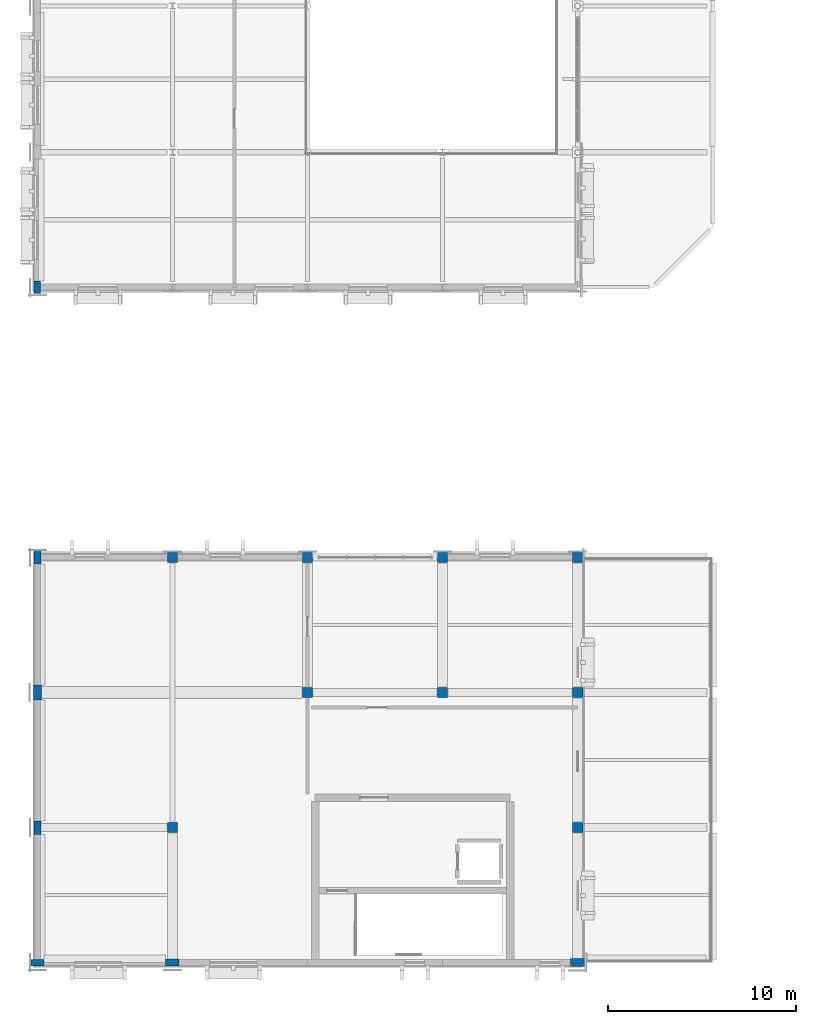
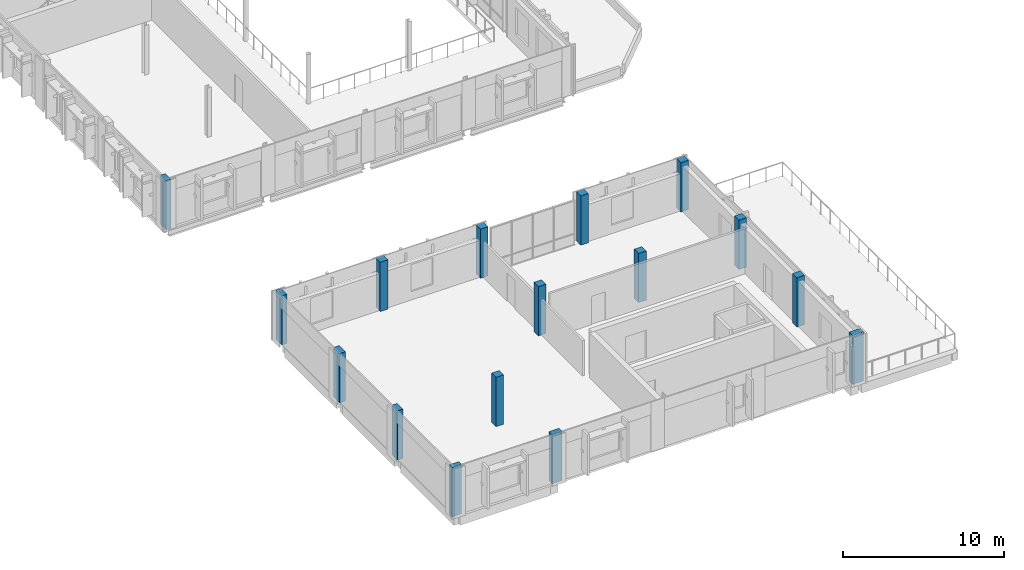
# One storey, part 1 of 73: 16 columns.
"""IFC4 building model written with IfcOpenShell, lengths in metres."""

from ifc_helpers import new_model, si_unit, direction, frame, origin, origin_2d, place, context, subcontext, project, spatial, rectangle, extrude, material, material_profile, profile_set, type_object, element, save


model = new_model("IFC4")

# Units and contexts
model_context = context("Model", 3, precision=1e-05, world=origin(), true_north=direction((0.0, 1.0)))
body_context = subcontext(model_context, "Body", "Model", "MODEL_VIEW")
ifc_project = project(units=[si_unit("LENGTHUNIT", "METRE"), si_unit("AREAUNIT", "SQUARE_METRE"), si_unit("VOLUMEUNIT", "CUBIC_METRE"), si_unit("PLANEANGLEUNIT", "RADIAN"), si_unit("MASSUNIT", "GRAM", prefix="KILO")], contexts=[model_context])

# Site, building, storey
site_placement = place(None, origin())
site = spatial("IfcSite", under=ifc_project, at=site_placement, CompositionType="ELEMENT")
building_placement = place(site_placement, origin())
building = spatial("IfcBuilding", under=site, at=building_placement, Name="Vervanel Yard Central Library", CompositionType="ELEMENT")
storey_placement = place(building_placement, frame((0.0, 0.0, 12.780029296875)))
storey = spatial("IfcBuildingStorey", under=building, at=storey_placement, Name="L03", CompositionType="ELEMENT", Elevation=12.780029296875)

# Columns
ifc_material = material(Name="Concrete C40/50", Category="concrete")
ifc_material_profile_1 = material_profile(ifc_material, rectangle(XDim=0.550048828125, YDim=0.550048828125, at=origin_2d()), Name="RC 550x550", Category="concrete")
ifc_profile_set_1 = profile_set([ifc_material_profile_1], Name="Concrete C40/50")
column_type_1 = type_object("IfcColumnType", Name="Concrete Column 550x550", PredefinedType="COLUMN", material=ifc_profile_set_1)
for number, where, z_axis, x_axis, name in (
    (1, (7.199951171875, 7.199951171875, 0.0), (0.0, 0.0, 1.0), (1.0, 0.0, 0.0), "L03 Concrete Column 550x550 (7.2, 7.2)"),
    (2, (7.199951171875, 21.60009765625, 0.0), (0.0, 0.0, 1.0), (1.0, 0.0, 0.0), "L03 Concrete Column 550x550 (7.2, 21.6)"),
    (3, (14.39990234375, 14.39990234375, 0.0), (0.0, 0.0, 1.0), (1.0, 0.0, 0.0), "L03 Concrete Column 550x550 (14.4, 14.4)"),
    (4, (14.39990234375, 21.60009765625, 0.0), (0.0, 0.0, 1.0), (1.0, 0.0, 0.0), "L03 Concrete Column 550x550 (14.4, 21.6)"),
    (5, (21.60009765625, 14.39990234375, 0.0), (0.0, 0.0, 1.0), (1.0, 0.0, 0.0), "L03 Concrete Column 550x550 (21.6, 14.4)"),
    (6, (21.60009765625, 21.60009765625, 0.0), (0.0, 0.0, 1.0), (1.0, 0.0, 0.0), "L03 Concrete Column 550x550 (21.6, 21.6)"),
    (7, (28.800048828125, 7.199951171875, 0.0), (0.0, 0.0, 1.0), (1.0, 0.0, 0.0), "L03 Concrete Column 550x550 (28.8, 7.2)"),
    (8, (28.800048828125, 14.39990234375, 0.0), (0.0, 0.0, 1.0), (1.0, 0.0, 0.0), "L03 Concrete Column 550x550 (28.8, 14.4)"),
    (9, (28.800048828125, 21.60009765625, 0.0), (0.0, 0.0, 1.0), (1.0, 0.0, 0.0), "L03 Concrete Column 550x550 (28.8, 21.6)"),
):
    element("IfcColumn", number, at=place(storey_placement, frame(where, z_axis=z_axis, x_axis=x_axis)), inside=storey, type_object=column_type_1, Name=name, PredefinedType="COLUMN", context=body_context, shape_type="SweptSolid", body=[
        extrude(rectangle(XDim=0.550048828125, YDim=0.550048828125, at=origin_2d()), origin(), (0.0, 0.0, 1.0), 3.739990234375),
    ])
ifc_material_profile_2 = material_profile(ifc_material, rectangle(XDim=0.35009765625, YDim=0.699951171875, at=origin_2d()), Name="RC 350x700", Category="concrete")
ifc_profile_set_2 = profile_set([ifc_material_profile_2], Name="Concrete C40/50")
column_type_2 = type_object("IfcColumnType", Name="Perimeter Pilaster 350x700", PredefinedType="PILASTER", material=ifc_profile_set_2)
for number, where, z_axis, x_axis, name in (
    (10, (0.0, 0.0, 0.0), (0.0, 0.0, 1.0), (0.0, 1.0, 0.0), "L03 Perimeter Pilaster 350x700 (0.0, 0.0)"),
    (11, (0.0, 36.0, 0.0), (0.0, 0.0, 1.0), (1.0, 0.0, 0.0), "L03 Perimeter Pilaster 350x700 (0.0, 36.0)"),
):
    element("IfcColumn", number, at=place(storey_placement, frame(where, z_axis=z_axis, x_axis=x_axis)), inside=storey, type_object=column_type_2, Name=name, PredefinedType="PILASTER", context=body_context, shape_type="SweptSolid", body=[
        extrude(rectangle(XDim=0.35009765625, YDim=0.699951171875, at=origin_2d()), origin(), (0.0, 0.0, 1.0), 3.739990234375),
    ])
ifc_material_profile_3 = material_profile(ifc_material, rectangle(XDim=0.3798828125, YDim=0.719970703125, at=origin_2d()), Name="RC 380x720", Category="concrete")
ifc_profile_set_3 = profile_set([ifc_material_profile_3], Name="Concrete C40/50")
column_type_3 = type_object("IfcColumnType", Name="Perimeter Pilaster 380x720", PredefinedType="PILASTER", material=ifc_profile_set_3)
for number, where, z_axis, x_axis, name in (
    (12, (0.0, 7.199951171875, 0.0), (0.0, 0.0, 1.0), (1.0, 0.0, 0.0), "L03 Perimeter Pilaster 380x720 (0.0, 7.2)"),
    (13, (0.0, 21.60009765625, 0.0), (0.0, 0.0, 1.0), (1.0, 0.0, 0.0), "L03 Perimeter Pilaster 380x720 (0.0, 21.6)"),
    (14, (7.199951171875, 0.0, 0.0), (0.0, 0.0, 1.0), (0.0, 1.0, 0.0), "L03 Perimeter Pilaster 380x720 (7.2, 0.0)"),
):
    element("IfcColumn", number, at=place(storey_placement, frame(where, z_axis=z_axis, x_axis=x_axis)), inside=storey, type_object=column_type_3, Name=name, PredefinedType="PILASTER", context=body_context, shape_type="SweptSolid", body=[
        extrude(rectangle(XDim=0.3798828125, YDim=0.719970703125, at=origin_2d()), origin(), (0.0, 0.0, 1.0), 3.739990234375),
    ])
ifc_material_profile_4 = material_profile(ifc_material, rectangle(XDim=0.419921875, YDim=0.780029296875, at=origin_2d()), Name="RC 420x780", Category="concrete")
ifc_profile_set_4 = profile_set([ifc_material_profile_4], Name="Concrete C40/50")
column_type_4 = type_object("IfcColumnType", Name="Perimeter Pilaster 420x780", PredefinedType="PILASTER", material=ifc_profile_set_4)
for number, where, z_axis, x_axis, name in (
    (15, (0.0, 14.39990234375, 0.0), (0.0, 0.0, 1.0), (1.0, 0.0, 0.0), "L03 Perimeter Pilaster 420x780 (0.0, 14.4)"),
    (16, (28.800048828125, 0.0, 0.0), (0.0, 0.0, 1.0), (0.0, 1.0, 0.0), "L03 Perimeter Pilaster 420x780 (28.8, 0.0)"),
):
    element("IfcColumn", number, at=place(storey_placement, frame(where, z_axis=z_axis, x_axis=x_axis)), inside=storey, type_object=column_type_4, Name=name, PredefinedType="PILASTER", context=body_context, shape_type="SweptSolid", body=[
        extrude(rectangle(XDim=0.419921875, YDim=0.780029296875, at=origin_2d()), origin(), (0.0, 0.0, 1.0), 3.739990234375),
    ])

save(model, "model.ifc")
